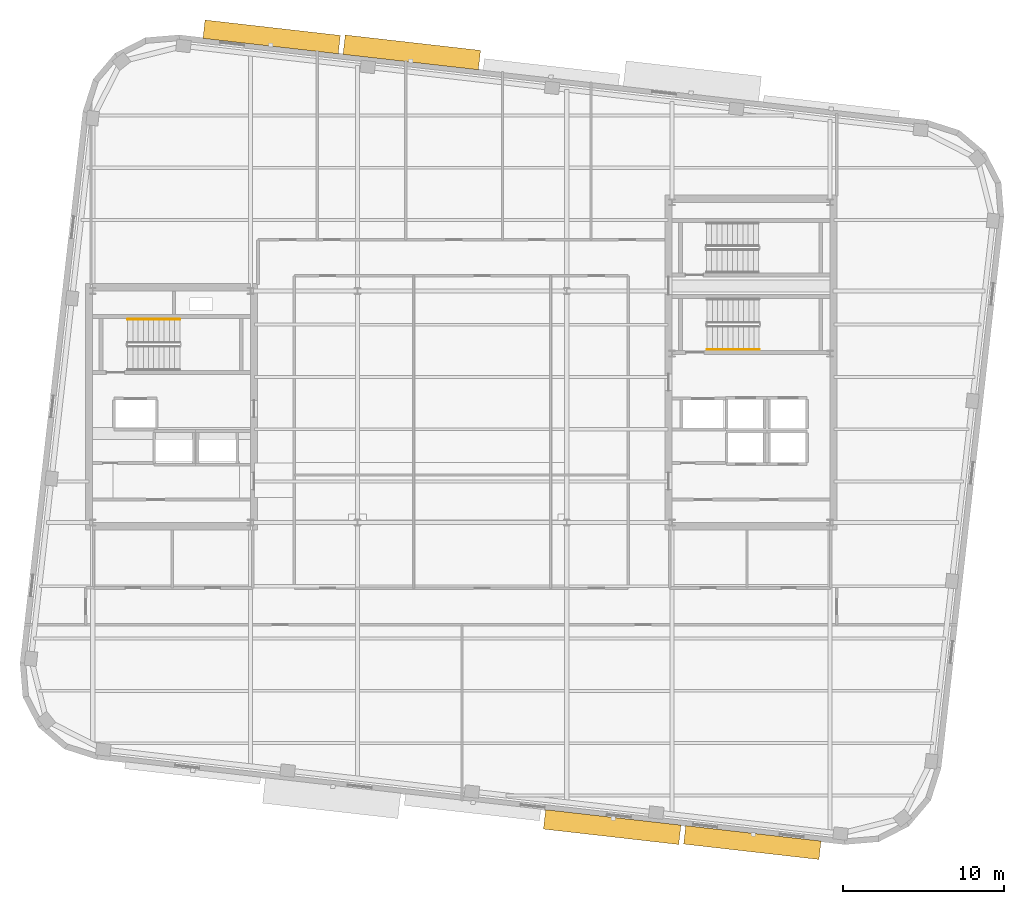
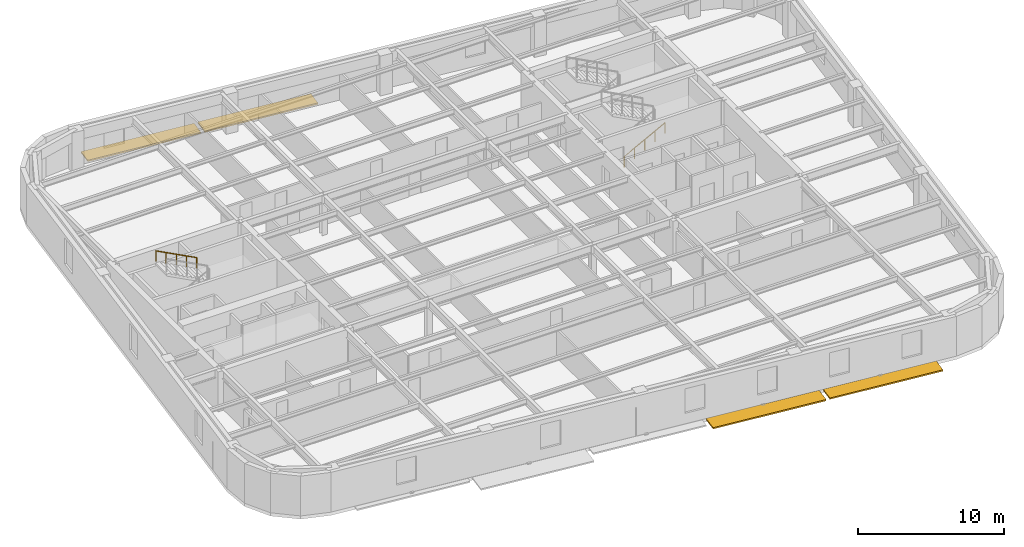
# One storey, part 12 of 13: 4 shading devices, 2 railings.
"""IFC4 building model written with IfcOpenShell, lengths in metres."""

from ifc_helpers import new_model, si_unit, direction, frame, origin, origin_2d, place, context, subcontext, project, spatial, rectangle, circle, extrude, material, type_object, element, save


model = new_model("IFC4")

# Units and contexts
model_context = context("Model", 3, precision=1e-05, world=origin(), true_north=direction((0.0, 1.0)))
body_context = subcontext(model_context, "Body", "Model", "MODEL_VIEW")
ifc_project = project(units=[si_unit("LENGTHUNIT", "METRE"), si_unit("AREAUNIT", "SQUARE_METRE"), si_unit("VOLUMEUNIT", "CUBIC_METRE"), si_unit("PLANEANGLEUNIT", "RADIAN"), si_unit("MASSUNIT", "GRAM", prefix="KILO")], contexts=[model_context])

# Site, building, storey
site_placement = place(None, origin())
site = spatial("IfcSite", under=ifc_project, at=site_placement, CompositionType="ELEMENT")
building_placement = place(site_placement, origin())
building = spatial("IfcBuilding", under=site, at=building_placement, Name="Kolvaren Arena Tower", CompositionType="ELEMENT")
storey_placement = place(building_placement, frame((0.0, 0.0, 265.949951171875)))
storey = spatial("IfcBuildingStorey", under=building, at=storey_placement, Name="L65", CompositionType="ELEMENT", Elevation=265.949951171875)

# Railings
ifc_material_1 = material(Name="Brushed stainless steel handrail", Category="steel")
railing_type = type_object("IfcRailingType", Name="HRAIL-900", PredefinedType="HANDRAIL", material=ifc_material_1)
railing_1_placement = place(storey_placement, frame((19.9599609375, 32.080078125, 2.04541015625)))
element("IfcRailing", 1, at=railing_1_placement, inside=storey, type_object=railing_type, Name="L65 ST-W1 stair handrail 2", PredefinedType="HANDRAIL", context=body_context, shape_type="SweptSolid", body=[
    extrude(circle(Radius=0.02392578125, at=origin_2d()), frame((0.0, 0.0, 0.8759765625), z_axis=(-0.884993431791, 0.0, 0.465603506952), x_axis=(0.0, -1.0, 0.0)), (0.0, 0.0, 1.0), 3.6611328125),
    extrude(circle(Radius=0.02099609375, at=origin_2d()), origin(), (0.0, 0.0, 1.0), 0.851806640625),
    extrude(circle(Radius=0.02099609375, at=origin_2d()), frame((-0.81005859375, 0.0, 0.42626953125)), (0.0, 0.0, 1.0), 0.851806640625),
    extrude(circle(Radius=0.02099609375, at=origin_2d()), frame((-1.6201171875, 0.0, 0.852294921875)), (0.0, 0.0, 1.0), 0.851806640625),
    extrude(circle(Radius=0.02099609375, at=origin_2d()), frame((-2.429931640625, 0.0, 1.2783203125)), (0.0, 0.0, 1.0), 0.851806640625),
    extrude(circle(Radius=0.02099609375, at=origin_2d()), frame((-3.239990234375, 0.0, 1.70458984375)), (0.0, 0.0, 1.0), 0.851806640625),
])
railing_2_placement = place(storey_placement, frame((52.719970703125, 30.199951171875, 0.17041015625)))
element("IfcRailing", 2, at=railing_2_placement, inside=storey, type_object=railing_type, Name="L65 ST-E1 stair handrail 1", PredefinedType="HANDRAIL", context=body_context, shape_type="SweptSolid", body=[
    extrude(circle(Radius=0.02392578125, at=origin_2d()), frame((0.0, 0.0, 0.8759765625), z_axis=(0.884993431791, 0.0, 0.465603506952), x_axis=(0.0, 1.0, 0.0)), (0.0, 0.0, 1.0), 3.6611328125),
    extrude(circle(Radius=0.02099609375, at=origin_2d()), origin(), (0.0, 0.0, 1.0), 0.851806640625),
    extrude(circle(Radius=0.02099609375, at=origin_2d()), frame((0.81005859375, 0.0, 0.42626953125)), (0.0, 0.0, 1.0), 0.851806640625),
    extrude(circle(Radius=0.02099609375, at=origin_2d()), frame((1.6201171875, 0.0, 0.852294921875)), (0.0, 0.0, 1.0), 0.851806640625),
    extrude(circle(Radius=0.02099609375, at=origin_2d()), frame((2.429931640625, 0.0, 1.2783203125)), (0.0, 0.0, 1.0), 0.851806640625),
    extrude(circle(Radius=0.02099609375, at=origin_2d()), frame((3.239990234375, 0.0, 1.70458984375)), (0.0, 0.0, 1.0), 0.851806640625),
])

# Shading devices
ifc_material_2 = material(Name="Architectural precast GFRC and anodised aluminium sunshade", Category="concrete")
shading_device_type = type_object("IfcShadingDeviceType", Name="SHAD-SINE-A", PredefinedType="USERDEFINED", material=ifc_material_2)
shading_device_1_placement = place(storey_placement, frame((25.667236328125, 49.627197265625, -0.139892578125), z_axis=(0.0, 0.0, 1.0), x_axis=(0.993571658098, -0.113204947878, 0.0)))
element("IfcShadingDevice", 3, at=shading_device_1_placement, inside=storey, type_object=shading_device_type, Name="Sinusoidal Slab-Edge Sunshade Louvre (L65)", ObjectType="LOUVRE", PredefinedType="USERDEFINED", context=body_context, shape_type="SweptSolid", body=[
    extrude(rectangle(XDim=8.4599609375, YDim=1.151611328125, at=origin_2d()), origin(), (0.0, 0.0, 1.0), 0.1201171875),
])
shading_device_2_placement = place(storey_placement, frame((34.37451171875, 48.666259765625, -0.139892578125), z_axis=(0.0, 0.0, 1.0), x_axis=(0.993571658098, -0.113204947878, 0.0)))
element("IfcShadingDevice", 4, at=shading_device_2_placement, inside=storey, type_object=shading_device_type, Name="Sinusoidal Slab-Edge Sunshade Louvre (L65)", ObjectType="LOUVRE", PredefinedType="USERDEFINED", context=body_context, shape_type="SweptSolid", body=[
    extrude(rectangle(XDim=8.4599609375, YDim=1.213623046875, at=origin_2d()), origin(), (0.0, 0.0, 1.0), 0.1201171875),
])
shading_device_3_placement = place(storey_placement, frame((55.53271484375, -0.42724609375, -0.139892578125), z_axis=(0.0, 0.0, 1.0), x_axis=(-0.993571658098, 0.113204947878, 0.0)))
element("IfcShadingDevice", 5, at=shading_device_3_placement, inside=storey, type_object=shading_device_type, Name="Sinusoidal Slab-Edge Sunshade Louvre (L65)", ObjectType="LOUVRE", PredefinedType="USERDEFINED", context=body_context, shape_type="SweptSolid", body=[
    extrude(rectangle(XDim=8.4599609375, YDim=1.151611328125, at=origin_2d()), origin(), (0.0, 0.0, 1.0), 0.1201171875),
])
shading_device_4_placement = place(storey_placement, frame((46.82568359375, 0.53369140625, -0.139892578125), z_axis=(0.0, 0.0, 1.0), x_axis=(-0.993571658098, 0.113204947878, 0.0)))
element("IfcShadingDevice", 6, at=shading_device_4_placement, inside=storey, type_object=shading_device_type, Name="Sinusoidal Slab-Edge Sunshade Louvre (L65)", ObjectType="LOUVRE", PredefinedType="USERDEFINED", context=body_context, shape_type="SweptSolid", body=[
    extrude(rectangle(XDim=8.4599609375, YDim=1.213623046875, at=origin_2d()), origin(), (0.0, 0.0, 1.0), 0.1201171875),
])

save(model, "model.ifc")
